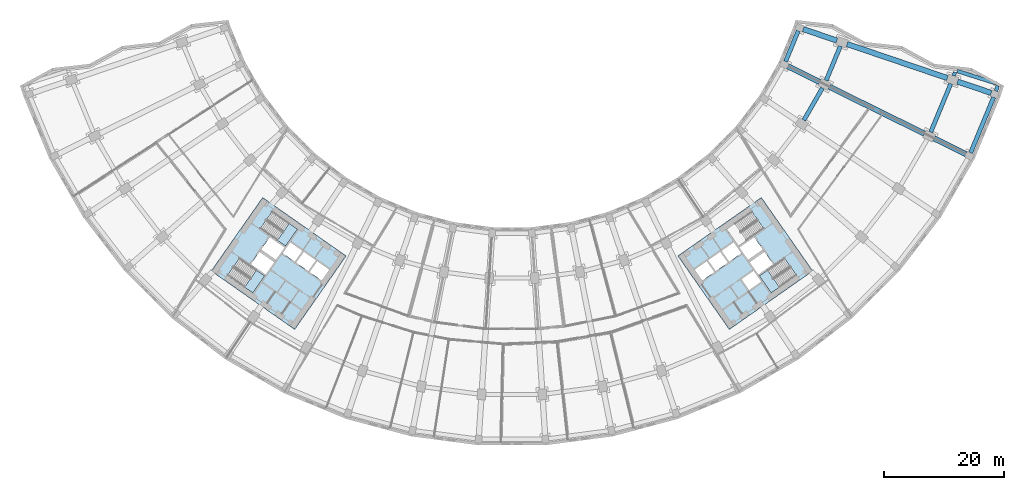
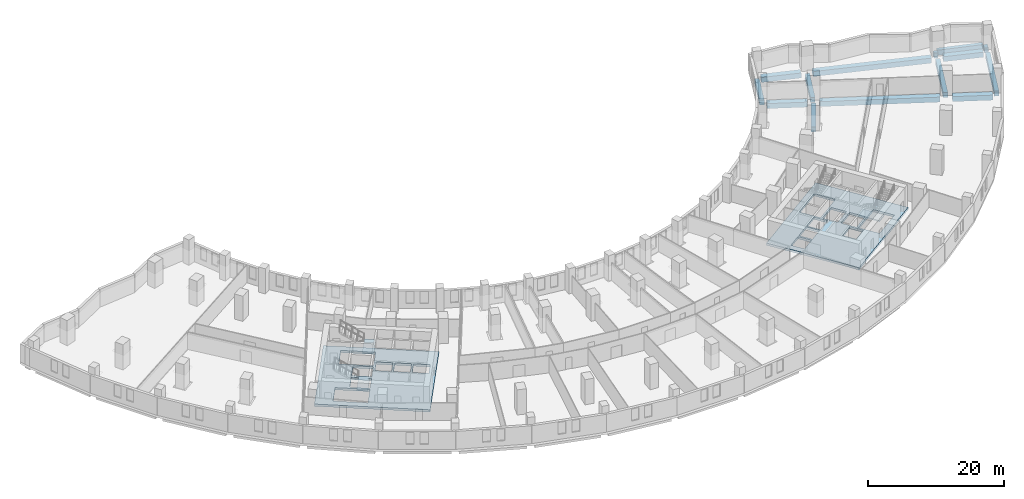
# One storey, part 3 of 20: 14 beams, 5 slabs, 3 elements without a shape of their own.
"""IFC4 building model written with IfcOpenShell, lengths in metres."""

import ifcopenshell
import ifcopenshell.guid

model = None  # the IFC model being written
_history = None  # IfcOwnerHistory: only IFC2X3 demands one
_inside = {}  # id of a spatial element -> (the spatial element, [elements in it])
_under = {}  # id of a project, library or spatial element -> (it, [spatial elements below it])
_declared = {}  # id of a project -> (the project, [libraries it declares])
_typed = {}  # id of a type object -> (the type object, [elements of that type])
_made_of = {}  # id of a material, layer set ... -> (it, [elements and type objects made of it])


def new_model(schema):
    """Start an empty IFC model of exactly this schema.

    Asked for "IFC4X3", IfcOpenShell would pick the latest addendum, in which some entities
    have other attributes; the version numbers below select the first issue.
    IFC2X3 requires an IfcOwnerHistory on every rooted entity: one is made here for all.
    """
    global model, _history
    if schema == "IFC4X3":
        model = ifcopenshell.file(schema_version=(4, 3, 0, 0))
    else:
        model = ifcopenshell.file(schema=schema)
    _inside.clear()
    _under.clear()
    _declared.clear()
    _typed.clear()
    _made_of.clear()
    _history = None
    if model.schema == "IFC2X3":
        org = make("IfcOrganization", Name="unknown")
        user = make(
            "IfcPersonAndOrganization",
            ThePerson=make("IfcPerson", FamilyName="unknown"),
            TheOrganization=org,
        )
        app = make(
            "IfcApplication",
            ApplicationDeveloper=org,
            Version="unknown",
            ApplicationFullName="unknown",
            ApplicationIdentifier="unknown",
        )
        _history = make(
            "IfcOwnerHistory",
            OwningUser=user,
            OwningApplication=app,
            ChangeAction="ADDED",
            CreationDate=0,
        )
    return model


def make(cls, **values):
    """One entity of the class cls with the attributes given. An attribute that is None is left unset."""
    return model.create_entity(
        cls, **{name: value for name, value in values.items() if value is not None}
    )


def rooted(cls, **values):
    """An entity with a GlobalId (a new one), such as an element, a storey or a relation."""
    return make(cls, GlobalId=ifcopenshell.guid.new(), OwnerHistory=_history, **values)


def si_unit(unit_type, name, prefix=None):
    """IfcSIUnit, for example si_unit("LENGTHUNIT", "METRE", prefix="MILLI")."""
    return make("IfcSIUnit", UnitType=unit_type, Prefix=prefix, Name=name)


def assignment(units):
    """IfcUnitAssignment: the units of a project."""
    return None if units is None else make("IfcUnitAssignment", Units=units)


def point(xyz):
    """IfcCartesianPoint."""
    return None if xyz is None else make("IfcCartesianPoint", Coordinates=xyz)


def direction(xyz):
    """IfcDirection."""
    return None if xyz is None else make("IfcDirection", DirectionRatios=xyz)


def frame(location, z_axis=None, x_axis=None):
    """IfcAxis2Placement3D, a coordinate frame: its origin and axes. An axis left out is left unset."""
    return make(
        "IfcAxis2Placement3D",
        Location=point(location),
        Axis=direction(z_axis),
        RefDirection=direction(x_axis),
    )


def frame_2d(location, x_axis=None):
    """IfcAxis2Placement2D, a coordinate frame in the plane: its origin and x axis."""
    return make(
        "IfcAxis2Placement2D", Location=point(location), RefDirection=direction(x_axis)
    )


def origin():
    """The frame at (0, 0, 0) with its axes left unset."""
    return frame((0.0, 0.0, 0.0))


def origin_2d():
    """The frame at (0, 0) in the plane with its x axis left unset."""
    return frame_2d((0.0, 0.0))


def place(relative_to, where):
    """IfcLocalPlacement: puts the frame where relative to a parent placement (None: the world)."""
    return make(
        "IfcLocalPlacement", PlacementRelTo=relative_to, RelativePlacement=where
    )


def context(
    kind, dimensions, precision=None, world=None, true_north=None, identifier=None
):
    """IfcGeometricRepresentationContext, for example the 3D "Model" context."""
    return make(
        "IfcGeometricRepresentationContext",
        ContextIdentifier=identifier,
        ContextType=kind,
        CoordinateSpaceDimension=dimensions,
        Precision=precision,
        WorldCoordinateSystem=world,
        TrueNorth=true_north,
    )


def subcontext(parent, identifier, kind, view, scale=None):
    """IfcGeometricRepresentationSubContext, for example "Body" below "Model"."""
    return make(
        "IfcGeometricRepresentationSubContext",
        ContextIdentifier=identifier,
        ContextType=kind,
        ParentContext=parent,
        TargetScale=scale,
        TargetView=view,
    )


def project(units=None, contexts=None):
    """IfcProject with its units and contexts."""
    return rooted(
        "IfcProject",
        Name="project",
        RepresentationContexts=contexts,
        UnitsInContext=assignment(units),
    )


def spatial(cls, under=None, at=None, **own):
    """A site, building, storey or space (cls), placed at a placement, below another one or the project."""
    s = rooted(cls, ObjectPlacement=at, **own)
    if under is not None:
        _under.setdefault(under.id(), (under, []))[1].append(s)
    return s


def polyline(points):
    """IfcPolyline through the points."""
    return make("IfcPolyline", Points=[point(p) for p in points])


def profile(cls, at=None, kind="AREA", **sizes):
    """A parametric profile (cls). Its sizes go by their IFC names, for example OverallWidth=200.0."""
    return make(cls, ProfileType=kind, Position=at, **sizes)


def rectangle(**sizes):
    """IfcRectangleProfileDef."""
    return profile("IfcRectangleProfileDef", **sizes)


def outline(outer, holes=None, kind="AREA"):
    """IfcArbitraryClosedProfileDef: a profile drawn as a closed curve; with holes, ...WithVoids."""
    if holes is None:
        return make("IfcArbitraryClosedProfileDef", ProfileType=kind, OuterCurve=outer)
    return make(
        "IfcArbitraryProfileDefWithVoids",
        ProfileType=kind,
        OuterCurve=outer,
        InnerCurves=holes,
    )


def extrude(swept, where, along, depth):
    """IfcExtrudedAreaSolid: the profile swept, set in the frame where, extruded along a direction by depth."""
    return make(
        "IfcExtrudedAreaSolid",
        SweptArea=swept,
        Position=where,
        ExtrudedDirection=direction(along),
        Depth=depth,
    )


def shape(context_of_items, identifier, shape_type, items):
    """IfcShapeRepresentation: the items that make up one representation, for example the "Body"."""
    return make(
        "IfcShapeRepresentation",
        ContextOfItems=context_of_items,
        RepresentationIdentifier=identifier,
        RepresentationType=shape_type,
        Items=items,
    )


def material(Name=None, Category=None):
    """IfcMaterial."""
    return make("IfcMaterial", Name=Name, Category=Category)


def layer(
    of_material, thickness, ventilated=None, Name=None, Category=None, Priority=None
):
    """IfcMaterialLayer: one layer of a wall or slab, of a material (None: an air gap)."""
    return make(
        "IfcMaterialLayer",
        Material=of_material,
        LayerThickness=thickness,
        IsVentilated=ventilated,
        Name=Name,
        Category=Category,
        Priority=Priority,
    )


def layer_set(layers, Name=None):
    """IfcMaterialLayerSet."""
    return make("IfcMaterialLayerSet", MaterialLayers=layers, LayerSetName=Name)


def material_profile(
    of_material, cross_section, Name=None, Category=None, Priority=None
):
    """IfcMaterialProfile: a cross section and its material."""
    return make(
        "IfcMaterialProfile",
        Name=Name,
        Material=of_material,
        Profile=cross_section,
        Priority=Priority,
        Category=Category,
    )


def profile_set(profiles, Name=None, composite=None):
    """IfcMaterialProfileSet."""
    return make(
        "IfcMaterialProfileSet",
        Name=Name,
        MaterialProfiles=profiles,
        CompositeProfile=composite,
    )


def made_of(thing, what):
    """Note that an element or type object is made of a material, layer set ...; save() writes the relation."""
    if what is not None:
        _made_of.setdefault(what.id(), (what, []))[1].append(thing)
    return thing


def type_object(cls, material=None, **own):
    """A type object (cls), such as IfcWallType, which elements share."""
    return made_of(rooted(cls, **own), material)


def element(
    cls,
    number,
    at=None,
    inside=None,
    cuts=None,
    type_object=None,
    material=None,
    context=None,
    identifier="Body",
    shape_type=None,
    held_by="IfcProductDefinitionShape",
    body=None,
    shapes=None,
    **own,
):
    """One element of the class cls, such as IfcWall. Its Tag is "e" and its number.

    at: its placement. inside: the storey or other place that contains it. cuts: it is an
    opening in that element (IfcRelVoidsElement). A single representation is given by context,
    identifier, shape_type and body (its items); several are given by shapes. held_by: the class
    of the entity that holds the representations. save() writes the other relations.
    """
    e = rooted(cls, Tag="e%d" % number, ObjectPlacement=at, **own)
    if body is not None:
        shapes = [shape(context, identifier, shape_type, body)]
    if shapes is not None:
        e.Representation = make(held_by, Representations=shapes)
    if inside is not None:
        _inside.setdefault(inside.id(), (inside, []))[1].append(e)
    if cuts is not None:
        rooted(
            "IfcRelVoidsElement", RelatingBuildingElement=cuts, RelatedOpeningElement=e
        )
    if type_object is not None:
        _typed.setdefault(type_object.id(), (type_object, []))[1].append(e)
    return made_of(e, material)


def aggregate(whole, parts):
    """IfcRelAggregates: a whole, such as a stair, and the parts it consists of."""
    return rooted("IfcRelAggregates", RelatingObject=whole, RelatedObjects=parts)


def save(model, path):
    """Write the relations noted so far, then the file.

    IfcRelAggregates (storeys below a building ...), IfcRelContainedInSpatialStructure (elements
    in a storey), IfcRelDefinesByType, IfcRelAssociatesMaterial and IfcRelDeclares: one each for
    every whole, place, type object, material and project.
    """
    for whole, parts in _under.values():
        aggregate(whole, parts)
    for where, things in _inside.values():
        rooted(
            "IfcRelContainedInSpatialStructure",
            RelatedElements=things,
            RelatingStructure=where,
        )
    for kind, things in _typed.values():
        rooted("IfcRelDefinesByType", RelatedObjects=things, RelatingType=kind)
    for what, things in _made_of.values():
        rooted("IfcRelAssociatesMaterial", RelatedObjects=things, RelatingMaterial=what)
    for by, libraries in _declared.values():
        rooted("IfcRelDeclares", RelatingContext=by, RelatedDefinitions=libraries)
    model.write(path)


model = new_model("IFC4")

# Units and contexts
model_context = context("Model", 3, precision=1e-05, world=origin(), true_north=direction((0.0, 1.0)))
body_context = subcontext(model_context, "Body", "Model", "MODEL_VIEW")
ifc_project = project(units=[si_unit("LENGTHUNIT", "METRE"), si_unit("AREAUNIT", "SQUARE_METRE"), si_unit("VOLUMEUNIT", "CUBIC_METRE"), si_unit("PLANEANGLEUNIT", "RADIAN"), si_unit("MASSUNIT", "GRAM", prefix="KILO")], contexts=[model_context])

# Site, building, storey
site_placement = place(None, origin())
site = spatial("IfcSite", under=ifc_project, at=site_placement, CompositionType="ELEMENT")
building_placement = place(site_placement, origin())
building = spatial("IfcBuilding", under=site, at=building_placement, Name="Qamariyya Broadcast Tower", CompositionType="ELEMENT")
storey_placement = place(building_placement, frame((0.0, 0.0, 31.5)))
storey = spatial("IfcBuildingStorey", under=building, at=storey_placement, Name="L04", CompositionType="ELEMENT", Elevation=31.5)

# Beams
ifc_material_1 = material(Name="Concrete C50/60", Category="concrete")
ifc_material_profile_1 = material_profile(ifc_material_1, rectangle(XDim=0.699951171875, YDim=0.89990234375, at=origin_2d()))
ifc_profile_set_1 = profile_set([ifc_material_profile_1], Name="Concrete C50/60")
beam_type_1 = type_object("IfcBeamType", Name="RC edge beam 700 x 900 C50/60", PredefinedType="SPANDREL", material=ifc_profile_set_1)
beam_1_placement = place(storey_placement, frame((45.727294921875, -21.93701171875, -0.85009765625), z_axis=(0.382654292645, 0.92389160204, 0.0), x_axis=(-0.92389160204, 0.382654292645, 0.0)))
element("IfcBeam", 1, at=beam_1_placement, inside=storey, type_object=beam_type_1, Name="Edge beam B2 L04 A R19-R20", PredefinedType="SPANDREL", context=body_context, shape_type="SweptSolid", body=[
    extrude(rectangle(XDim=0.699951171875, YDim=0.89990234375, at=origin_2d()), origin(), (0.0, 0.0, 1.0), 5.5361328125),
])
for number, where, z_axis, x_axis, name in (
    (2, (48.783935546875, -31.75439453125, -0.85009765625), (0.499995558535, 0.86602796805, 0.0), (-0.86602796805, 0.499995558535, 0.0), "Edge beam B2 L04 B R18-R19"),
    (3, (52.51123046875, -25.115234375, -0.85009765625), (0.38268477858, 0.92387897489, 0.0), (-0.92387897489, 0.38268477858, 0.0), "Edge beam B2 L04 B R19-R20"),
):
    element("IfcBeam", number, at=place(storey_placement, frame(where, z_axis=z_axis, x_axis=x_axis)), inside=storey, type_object=beam_type_1, Name=name, PredefinedType="SPANDREL", context=body_context, shape_type="SweptSolid", body=[
        extrude(rectangle(XDim=0.699951171875, YDim=0.89990234375, at=origin_2d()), origin(), (0.0, 0.0, 1.0), 6.21630859375),
    ])
beam_2_placement = place(storey_placement, frame((70.000244140625, -33.73974609375, -0.85009765625), z_axis=(0.38270841035, 0.923869185896, 0.0), x_axis=(-0.923869185896, 0.38270841035, 0.0)))
element("IfcBeam", 4, at=beam_2_placement, inside=storey, type_object=beam_type_1, Name="Edge beam B2 L04 C R19-R20", PredefinedType="SPANDREL", context=body_context, shape_type="SweptSolid", body=[
    extrude(rectangle(XDim=0.699951171875, YDim=0.89990234375, at=origin_2d()), origin(), (0.0, 0.0, 1.0), 8.76708984375),
])
beam_3_placement = place(storey_placement, frame((76.66943359375, -37.19580078125, -0.85009765625), z_axis=(0.382677229034, 0.923882101991, 0.0), x_axis=(-0.923882101991, 0.382677229034, 0.0)))
element("IfcBeam", 5, at=beam_3_placement, inside=storey, type_object=beam_type_1, Name="Edge beam B2 L04 D R19-R20", PredefinedType="SPANDREL", context=body_context, shape_type="SweptSolid", body=[
    extrude(rectangle(XDim=0.699951171875, YDim=0.89990234375, at=origin_2d()), origin(), (0.0, 0.0, 1.0), 10.048828125),
])
ifc_material_profile_2 = material_profile(ifc_material_1, rectangle(XDim=0.60009765625, YDim=0.89990234375, at=origin_2d()))
ifc_profile_set_2 = profile_set([ifc_material_profile_2], Name="Concrete C50/60")
beam_type_2 = type_object("IfcBeamType", Name="RC horn beam 600 x 900 C50/60", PredefinedType="BEAM", material=ifc_profile_set_2)
beam_4_placement = place(storey_placement, frame((73.841796875, -24.32666015625, -0.85009765625), z_axis=(0.311677221784, 0.95018803898, 0.0), x_axis=(-0.95018803898, 0.311677221784, 0.0)))
element("IfcBeam", 6, at=beam_4_placement, inside=storey, type_object=beam_type_2, Name="Horn beam B3 L04 E C-R20", PredefinedType="BEAM", context=body_context, shape_type="SweptSolid", body=[
    extrude(rectangle(XDim=0.60009765625, YDim=0.89990234375, at=origin_2d()), origin(), (0.0, 0.0, 1.0), 0.628173828125),
])
beam_5_placement = place(storey_placement, frame((80.897216796875, -26.880126953125, -0.85009765625), z_axis=(0.31136908678, 0.95028905697, 0.0), x_axis=(-0.95028905697, 0.31136908678, 0.0)))
element("IfcBeam", 7, at=beam_5_placement, inside=storey, type_object=beam_type_2, Name="Horn beam B3 L04 E D-R20", PredefinedType="BEAM", context=body_context, shape_type="SweptSolid", body=[
    extrude(rectangle(XDim=0.60009765625, YDim=0.89990234375, at=origin_2d()), origin(), (0.0, 0.0, 1.0), 0.935302734375),
])
ifc_material_profile_3 = material_profile(ifc_material_1, rectangle(XDim=0.60009765625, YDim=0.89990234375, at=origin_2d()))
ifc_profile_set_3 = profile_set([ifc_material_profile_3], Name="Concrete C50/60")
beam_type_3 = type_object("IfcBeamType", Name="RC horn cap beam 600 x 900 C50/60", PredefinedType="BEAM", material=ifc_profile_set_3)
beam_6_placement = place(storey_placement, frame((74.4169921875, -23.53515625, -0.85009765625), z_axis=(0.953456380288, -0.301530978321, 0.0), x_axis=(0.301530978321, 0.953456380288, 0.0)))
element("IfcBeam", 8, at=beam_6_placement, inside=storey, type_object=beam_type_3, Name="Horn cap beam B4 L04 E C-D", PredefinedType="BEAM", context=body_context, shape_type="SweptSolid", body=[
    extrude(rectangle(XDim=0.60009765625, YDim=0.89990234375, at=origin_2d()), origin(), (0.0, 0.0, 1.0), 6.89990234375),
])
ifc_material_profile_4 = material_profile(ifc_material_1, rectangle(XDim=0.89990234375, YDim=0.89990234375, at=origin_2d()))
ifc_profile_set_4 = profile_set([ifc_material_profile_4], Name="Concrete C50/60")
beam_type_4 = type_object("IfcBeamType", Name="RC radial beam 900 x 900 C50/60", PredefinedType="BEAM", material=ifc_profile_set_4)
beam_7_placement = place(storey_placement, frame((46.099365234375, -22.733642578125, -0.85009765625), z_axis=(0.896867525941, -0.442299266236, 0.0), x_axis=(0.442299266236, 0.896867525941, 0.0)))
element("IfcBeam", 9, at=beam_7_placement, inside=storey, type_object=beam_type_4, Name="Radial beam B1 L04 R19 A-B", PredefinedType="BEAM", context=body_context, shape_type="SweptSolid", body=[
    extrude(rectangle(XDim=0.89990234375, YDim=0.89990234375, at=origin_2d()), origin(), (0.0, 0.0, 1.0), 5.94970703125),
])
beam_8_placement = place(storey_placement, frame((53.050048828125, -26.161376953125, -0.85009765625), z_axis=(0.896868921808, -0.442296435771, 0.0), x_axis=(0.442296435771, 0.896868921808, 0.0)))
element("IfcBeam", 10, at=beam_8_placement, inside=storey, type_object=beam_type_4, Name="Radial beam B1 L04 R19 B-C", PredefinedType="BEAM", context=body_context, shape_type="SweptSolid", body=[
    extrude(rectangle(XDim=0.89990234375, YDim=0.89990234375, at=origin_2d()), origin(), (0.0, 0.0, 1.0), 17.699951171875),
])
beam_9_placement = place(storey_placement, frame((70.5390625, -34.785888671875, -0.85009765625), z_axis=(0.896859276255, -0.442315994054, 0.0), x_axis=(0.442315994054, 0.896859276255, 0.0)))
element("IfcBeam", 11, at=beam_9_placement, inside=storey, type_object=beam_type_4, Name="Radial beam B1 L04 R19 C-D", PredefinedType="BEAM", context=body_context, shape_type="SweptSolid", body=[
    extrude(rectangle(XDim=0.89990234375, YDim=0.89990234375, at=origin_2d()), origin(), (0.0, 0.0, 1.0), 5.9501953125),
])
beam_10_placement = place(storey_placement, frame((48.672119140625, -16.52197265625, -0.85009765625), z_axis=(0.946929197619, -0.32144221051, 0.0), x_axis=(0.32144221051, 0.946929197619, 0.0)))
element("IfcBeam", 12, at=beam_10_placement, inside=storey, type_object=beam_type_4, Name="Radial beam B1 L04 R20 A-B", PredefinedType="BEAM", context=body_context, shape_type="SweptSolid", body=[
    extrude(rectangle(XDim=0.89990234375, YDim=0.89990234375, at=origin_2d()), origin(), (0.0, 0.0, 1.0), 5.949951171875),
])
beam_11_placement = place(storey_placement, frame((56.010986328125, -19.01318359375, -0.85009765625), z_axis=(0.946929601856, -0.321441019674, 0.0), x_axis=(0.321441019674, 0.946929601856, 0.0)))
element("IfcBeam", 13, at=beam_11_placement, inside=storey, type_object=beam_type_4, Name="Radial beam B1 L04 R20 B-C", PredefinedType="BEAM", context=body_context, shape_type="SweptSolid", body=[
    extrude(rectangle(XDim=0.89990234375, YDim=0.89990234375, at=origin_2d()), origin(), (0.0, 0.0, 1.0), 17.699951171875),
])
beam_12_placement = place(storey_placement, frame((74.47607421875, -25.28125, -0.85009765625), z_axis=(0.946929197619, -0.32144221051, 0.0), x_axis=(0.32144221051, 0.946929197619, 0.0)))
element("IfcBeam", 14, at=beam_12_placement, inside=storey, type_object=beam_type_4, Name="Radial beam B1 L04 R20 C-D", PredefinedType="BEAM", context=body_context, shape_type="SweptSolid", body=[
    extrude(rectangle(XDim=0.89990234375, YDim=0.89990234375, at=origin_2d()), origin(), (0.0, 0.0, 1.0), 5.949951171875),
])

# Slabs
ifc_material_2 = material(Name="Concrete C40/50", Category="concrete")
ifc_layer_1 = layer(ifc_material_2, 0.39990234375)
ifc_layer_set_1 = layer_set([ifc_layer_1], Name="Core floor slab 400 mm Concrete C40/50")
slab_type_1 = type_object("IfcSlabType", Name="Core floor slab 400 mm Concrete C40/50", PredefinedType="FLOOR", material=ifc_layer_set_1)
slab_1_placement = place(storey_placement, frame((0.0, 0.0, -0.39990234375)))
element("IfcSlab", 15, at=slab_1_placement, inside=storey, type_object=slab_type_1, Name="k-W-L04-slab", PredefinedType="FLOOR", context=body_context, shape_type="SweptSolid", body=[
    extrude(outline(polyline([(-50.286376953125, -56.95751953125), (-36.32373046875, -66.734375), (-27.719970703125, -54.447021484375), (-41.6826171875, -44.67041015625), (-50.286376953125, -56.95751953125)]), holes=[polyline([(-31.80859375, -58.542724609375), (-33.8154296875, -57.137451171875), (-32.5537109375, -55.335205078125), (-30.546630859375, -56.740478515625), (-31.80859375, -58.542724609375)]), polyline([(-34.061279296875, -56.96533203125), (-36.068115234375, -55.56005859375), (-34.806396484375, -53.758056640625), (-32.79931640625, -55.163330078125), (-34.061279296875, -56.96533203125)]), polyline([(-36.31396484375, -55.387939453125), (-38.32080078125, -53.982666015625), (-37.058837890625, -52.1806640625), (-35.052001953125, -53.5859375), (-36.31396484375, -55.387939453125)]), polyline([(-39.742431640625, -55.489990234375), (-42.199951171875, -53.769287109375), (-43.6337890625, -55.817138671875), (-41.17626953125, -57.537841796875), (-39.742431640625, -55.489990234375)]), polyline([(-39.45556640625, -55.080322265625), (-41.9130859375, -53.359619140625), (-40.47900390625, -51.311767578125), (-38.021728515625, -53.032470703125), (-39.45556640625, -55.080322265625)]), polyline([(-42.06103515625, -49.837890625), (-37.849609375, -52.78662109375), (-35.870849609375, -49.960693359375), (-40.082275390625, -47.01171875), (-42.06103515625, -49.837890625)]), polyline([(-47.538818359375, -57.66064453125), (-43.3271484375, -60.609619140625), (-41.348388671875, -57.783447265625), (-45.559814453125, -54.834716796875), (-47.538818359375, -57.66064453125)])]), origin(), (0.0, 0.0, 1.0), 0.39990234375),
])
slab_2_placement = place(storey_placement, frame((0.0, 0.0, -0.39990234375)))
element("IfcSlab", 16, at=slab_2_placement, inside=storey, type_object=slab_type_1, Name="k-E-L04-slab", PredefinedType="FLOOR", context=body_context, shape_type="SweptSolid", body=[
    extrude(outline(polyline([(36.32373046875, -66.734375), (50.286376953125, -56.95751953125), (41.6826171875, -44.67041015625), (27.719970703125, -54.447021484375), (36.32373046875, -66.734375)]), holes=[polyline([(31.80859375, -58.542724609375), (33.8154296875, -57.137451171875), (32.5537109375, -55.335205078125), (30.546630859375, -56.740478515625), (31.80859375, -58.542724609375)]), polyline([(34.061279296875, -56.96533203125), (36.068115234375, -55.56005859375), (34.806396484375, -53.758056640625), (32.79931640625, -55.163330078125), (34.061279296875, -56.96533203125)]), polyline([(36.31396484375, -55.387939453125), (38.32080078125, -53.982666015625), (37.058837890625, -52.1806640625), (35.052001953125, -53.5859375), (36.31396484375, -55.387939453125)]), polyline([(38.378662109375, -58.3369140625), (40.3857421875, -56.931640625), (41.6474609375, -58.73388671875), (39.640625, -60.13916015625), (38.378662109375, -58.3369140625)]), polyline([(39.742431640625, -55.489990234375), (42.199951171875, -53.769287109375), (43.6337890625, -55.817138671875), (41.17626953125, -57.537841796875), (39.742431640625, -55.489990234375)]), polyline([(39.45556640625, -55.080322265625), (41.9130859375, -53.359619140625), (40.47900390625, -51.311767578125), (38.021728515625, -53.032470703125), (39.45556640625, -55.080322265625)]), polyline([(40.082275390625, -47.01171875), (35.870849609375, -49.960693359375), (37.849609375, -52.78662109375), (42.06103515625, -49.837890625), (40.082275390625, -47.01171875)]), polyline([(45.559814453125, -54.834716796875), (41.348388671875, -57.783447265625), (43.3271484375, -60.609619140625), (47.538818359375, -57.66064453125), (45.559814453125, -54.834716796875)])]), origin(), (0.0, 0.0, 1.0), 0.39990234375),
])

# Stair, slab
stair_type = type_object("IfcStairType", Name="Exit stair 26 risers of 173 mm", PredefinedType="HALF_TURN_STAIR", material=ifc_material_1)
stair_1_placement = place(storey_placement, origin())
stair_1 = element("IfcStair", 17, at=stair_1_placement, inside=storey, type_object=stair_type, Name="L04 Stair W2", PredefinedType="HALF_TURN_STAIR")
ifc_layer_2 = layer(ifc_material_1, 0.199951171875)
ifc_layer_set_2 = layer_set([ifc_layer_2], Name="Stair landing")
slab_type_2 = type_object("IfcSlabType", Name="Stair landing", PredefinedType="LANDING", material=ifc_layer_set_2)
slab_3_placement = place(storey_placement, frame((0.0, 0.0, 2.050048828125)))
slab_3 = element("IfcSlab", 18, at=slab_3_placement, type_object=slab_type_2, Name="ST-W2 landing 1", PredefinedType="LANDING", context=body_context, shape_type="SweptSolid", body=[
    extrude(outline(polyline([(-39.217041015625, -51.829345703125), (-37.849609375, -52.78662109375), (-35.870849609375, -49.960693359375), (-37.23828125, -49.003173828125), (-39.217041015625, -51.829345703125)])), origin(), (0.0, 0.0, 1.0), 0.199951171875),
])
aggregate(stair_1, [slab_3])

stair_2_placement = place(storey_placement, origin())
stair_2 = element("IfcStair", 19, at=stair_2_placement, inside=storey, type_object=stair_type, Name="L04 Stair W1", PredefinedType="HALF_TURN_STAIR")
slab_4_placement = place(storey_placement, frame((0.0, 0.0, 2.050048828125)))
slab_4 = element("IfcSlab", 20, at=slab_4_placement, type_object=slab_type_2, Name="ST-W1 landing 1", PredefinedType="LANDING", context=body_context, shape_type="SweptSolid", body=[
    extrude(outline(polyline([(-44.694580078125, -59.652099609375), (-43.3271484375, -60.609619140625), (-41.348388671875, -57.783447265625), (-42.7158203125, -56.826171875), (-44.694580078125, -59.652099609375)])), origin(), (0.0, 0.0, 1.0), 0.199951171875),
])
aggregate(stair_2, [slab_4])

stair_3_placement = place(storey_placement, origin())
stair_3 = element("IfcStair", 21, at=stair_3_placement, inside=storey, type_object=stair_type, Name="L04 Stair E1", PredefinedType="HALF_TURN_STAIR")
slab_5_placement = place(storey_placement, frame((0.0, 0.0, 2.050048828125)))
slab_5 = element("IfcSlab", 22, at=slab_5_placement, type_object=slab_type_2, Name="ST-E1 landing 1", PredefinedType="LANDING", context=body_context, shape_type="SweptSolid", body=[
    extrude(outline(polyline([(42.7158203125, -56.826171875), (41.348388671875, -57.783447265625), (43.3271484375, -60.609619140625), (44.694580078125, -59.652099609375), (42.7158203125, -56.826171875)])), origin(), (0.0, 0.0, 1.0), 0.199951171875),
])
aggregate(stair_3, [slab_5])

save(model, "model.ifc")
